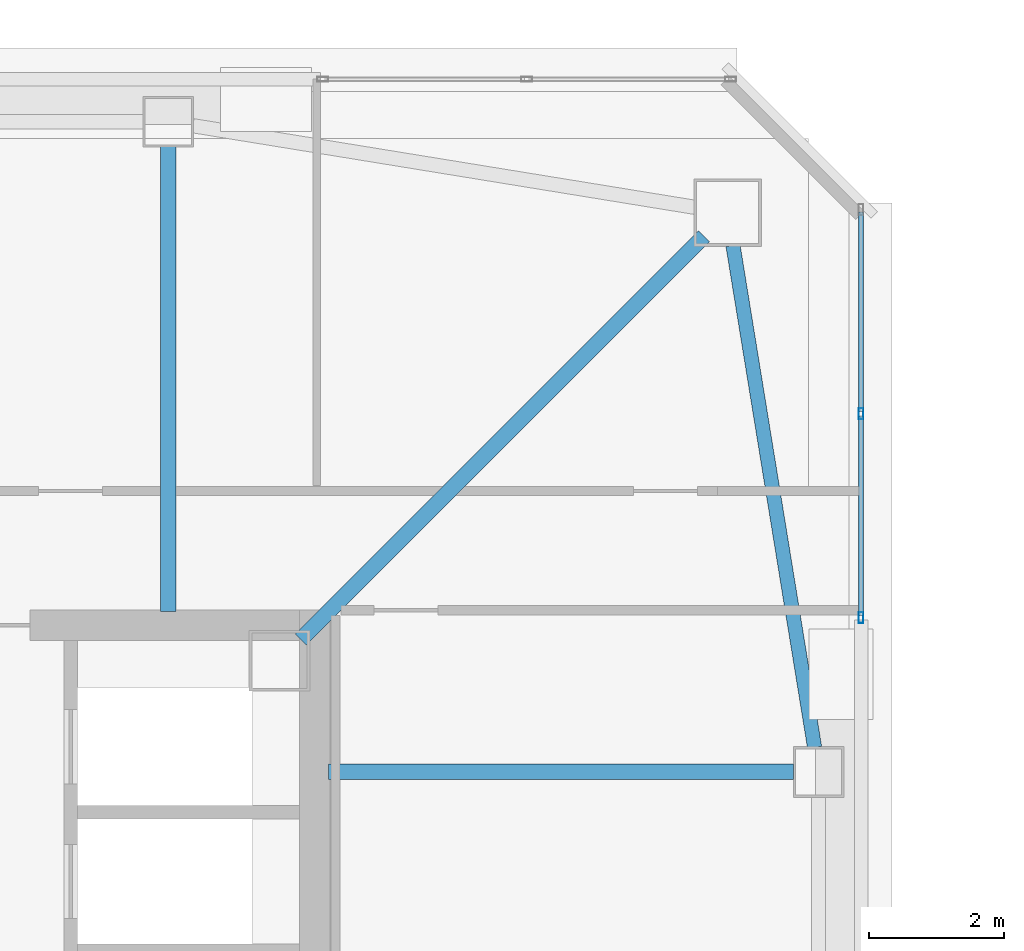
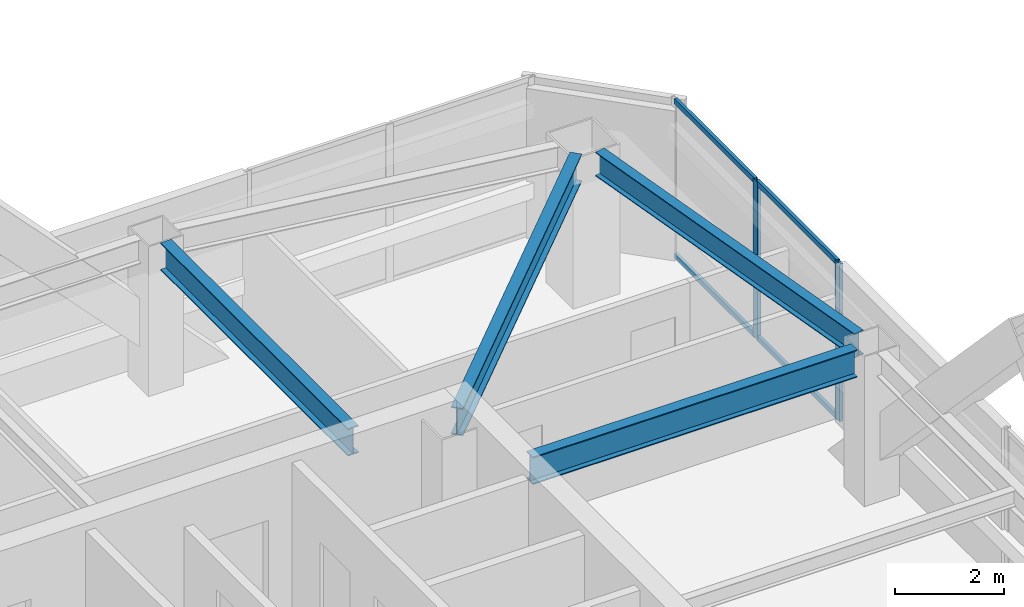
# One storey, part 13 of 39: 6 members, 4 beams, 1 element without a shape of its own.
"""IFC4 building model written with IfcOpenShell, lengths in metres."""

from ifc_helpers import new_model, si_unit, direction, frame, origin, origin_2d, place, context, subcontext, project, spatial, hollow_rectangle, i_section, extrude, material, material_profile, profile_set, type_object, element, aggregate, save


model = new_model("IFC4")

# Units and contexts
model_context = context("Model", 3, precision=1e-05, world=origin(), true_north=direction((0.0, 1.0)))
body_context = subcontext(model_context, "Body", "Model", "MODEL_VIEW")
ifc_project = project(units=[si_unit("LENGTHUNIT", "METRE"), si_unit("AREAUNIT", "SQUARE_METRE"), si_unit("VOLUMEUNIT", "CUBIC_METRE"), si_unit("PLANEANGLEUNIT", "RADIAN"), si_unit("MASSUNIT", "GRAM", prefix="KILO")], contexts=[model_context])

# Site, building, storey
site_placement = place(None, origin())
site = spatial("IfcSite", under=ifc_project, at=site_placement, CompositionType="ELEMENT")
building_placement = place(site_placement, origin())
building = spatial("IfcBuilding", under=site, at=building_placement, Name="Tashvorn Skyway Center", CompositionType="ELEMENT")
storey_placement = place(building_placement, frame((0.0, 0.0, 239.699951171875)))
storey = spatial("IfcBuildingStorey", under=building, at=storey_placement, Name="L65", CompositionType="ELEMENT", Elevation=239.699951171875)

# Beams
ifc_material_1 = material(Name="Steel ASTM A992 Grade 50", Category="steel")
ifc_material_profile_1 = material_profile(ifc_material_1, i_section(OverallWidth=0.22998046875, OverallDepth=0.616943359375, WebThickness=0.01318359375, FlangeThickness=0.022216796875, at=origin_2d()), Name="W24X94")
ifc_profile_set_1 = profile_set([ifc_material_profile_1], Name="Steel ASTM A992 Grade 50")
beam_type_1 = type_object("IfcBeamType", Name="BM-BEAM-W24X94", PredefinedType="BEAM", material=ifc_profile_set_1)
beam_1_placement = place(storey_placement, frame((55.35009765625, 45.35009765625, 3.0615234375), z_axis=(-0.707106781187, -0.707106781187, 0.0), x_axis=(0.707106781187, -0.707106781187, 0.0)))
element("IfcBeam", 1, at=beam_1_placement, inside=storey, type_object=beam_type_1, Name="Tower 1 L65 Primary Floor Girder MC-NE", PredefinedType="BEAM", context=body_context, shape_type="SweptSolid", body=[
    extrude(i_section(OverallWidth=0.22998046875, OverallDepth=0.616943359375, WebThickness=0.01318359375, FlangeThickness=0.022216796875, at=origin_2d()), origin(), (0.0, 0.0, 1.0), 8.464599609375),
])
for number, where, z_axis, x_axis, name in (
    (2, (56.679931640625, 37.39990234375, 3.0615234375), (-1.0, 0.0, 0.0), (0.0, -1.0, 0.0), "Tower 1 L65 Primary Floor Girder FC-E2"),
    (3, (47.39990234375, 46.679931640625, 3.0615234375), (0.0, -1.0, 0.0), (1.0, 0.0, 0.0), "Tower 1 L65 Primary Floor Girder FC-N1"),
):
    element("IfcBeam", number, at=place(storey_placement, frame(where, z_axis=z_axis, x_axis=x_axis)), inside=storey, type_object=beam_type_1, Name=name, PredefinedType="BEAM", context=body_context, shape_type="SweptSolid", body=[
        extrude(i_section(OverallWidth=0.22998046875, OverallDepth=0.616943359375, WebThickness=0.01318359375, FlangeThickness=0.022216796875, at=origin_2d()), origin(), (0.0, 0.0, 1.0), 6.89990234375),
    ])
ifc_material_profile_2 = material_profile(ifc_material_1, i_section(OverallWidth=0.2109375, OverallDepth=0.5390625, WebThickness=0.01171875, FlangeThickness=0.018798828125, at=origin_2d()), Name="W21X73")
ifc_profile_set_2 = profile_set([ifc_material_profile_2], Name="Steel ASTM A992 Grade 50")
beam_type_2 = type_object("IfcBeamType", Name="BM-SPANDREL-W21X73", PredefinedType="SPANDREL", material=ifc_profile_set_2)
beam_2_placement = place(storey_placement, frame((56.990478515625, 37.76513671875, 3.1005859375), z_axis=(-0.160514302677, 0.987033514444, 0.0), x_axis=(-0.987033514444, -0.160514302677, 0.0)))
element("IfcBeam", 4, at=beam_2_placement, inside=storey, type_object=beam_type_2, Name="Tower 1 L65 Spandrel Beam 06", PredefinedType="SPANDREL", context=body_context, shape_type="SweptSolid", body=[
    extrude(i_section(OverallWidth=0.2109375, OverallDepth=0.5390625, WebThickness=0.01171875, FlangeThickness=0.018798828125, at=origin_2d()), origin(), (0.0, 0.0, 1.0), 7.544189453125),
])

# Curtain wall, members
ifc_material_2 = material(Name="Thermally broken bronze-anodized aluminium 6063-T6", Category="aluminium")
curtain_wall_type = type_object("IfcCurtainWallType", Name="CW-CW-Z5", PredefinedType="NOTDEFINED", material=ifc_material_2)
curtain_wall_placement = place(storey_placement, origin())
curtain_wall = element("IfcCurtainWall", 5, at=curtain_wall_placement, inside=storey, type_object=curtain_wall_type, Name="Tower 1 L65 East Unitised Curtain Wall Glazing Group 1", PredefinedType="NOTDEFINED")
ifc_material_profile_3 = material_profile(ifc_material_2, hollow_rectangle(XDim=0.070068359375, YDim=0.1650390625, WallThickness=0.00390625, at=origin_2d()), Name="ALU-MULL-70x165")
ifc_profile_set_3 = profile_set([ifc_material_profile_3], Name="Thermally broken bronze-anodized aluminium 6063-T6")
member_type_1 = type_object("IfcMemberType", Name="CWM-CW-Z5", PredefinedType="MULLION", material=ifc_profile_set_3)
member_1_placement = place(storey_placement, frame((57.679931640625, 42.7177734375, 0.0), z_axis=(0.0, 0.0, 1.0), x_axis=(1.0, 0.0, 0.0)))
member_1 = element("IfcMember", 6, at=member_1_placement, type_object=member_type_1, Name="CW-Z5 mullion 2", PredefinedType="MULLION", context=body_context, shape_type="SweptSolid", body=[
    extrude(hollow_rectangle(XDim=0.070068359375, YDim=0.1650390625, WallThickness=0.00390625, at=origin_2d()), origin(), (0.0, 0.0, 1.0), 3.550048828125),
])
member_2_placement = place(storey_placement, frame((57.679931640625, 39.690673828125, 0.0), z_axis=(0.0, 0.0, 1.0), x_axis=(1.0, 0.0, 0.0)))
member_2 = element("IfcMember", 7, at=member_2_placement, type_object=member_type_1, Name="CW-Z5 mullion 3", PredefinedType="MULLION", context=body_context, shape_type="SweptSolid", body=[
    extrude(hollow_rectangle(XDim=0.070068359375, YDim=0.1650390625, WallThickness=0.00390625, at=origin_2d()), origin(), (0.0, 0.0, 1.0), 3.550048828125),
])
ifc_material_profile_4 = material_profile(ifc_material_2, hollow_rectangle(XDim=0.070068359375, YDim=0.114990234375, WallThickness=0.00390625, at=origin_2d()), Name="ALU-TRAN-70x115")
ifc_profile_set_4 = profile_set([ifc_material_profile_4], Name="Thermally broken bronze-anodized aluminium 6063-T6")
member_type_2 = type_object("IfcMemberType", Name="CWT-CW-Z5", PredefinedType="USERDEFINED", material=ifc_profile_set_4)
member_3_placement = place(storey_placement, frame((57.679931640625, 45.7099609375, 0.03515625), z_axis=(0.0, -1.0, 0.0), x_axis=(1.0, 0.0, 0.0)))
member_3 = element("IfcMember", 8, at=member_3_placement, type_object=member_type_2, Name="CW-Z5 transom 1.1", ObjectType="TRANSOM", PredefinedType="USERDEFINED", context=body_context, shape_type="SweptSolid", body=[
    extrude(hollow_rectangle(XDim=0.070068359375, YDim=0.114990234375, WallThickness=0.00390625, at=origin_2d()), origin(), (0.0, 0.0, 1.0), 2.957275390625),
])
member_4_placement = place(storey_placement, frame((57.679931640625, 45.7099609375, 3.51513671875), z_axis=(0.0, -1.0, 0.0), x_axis=(1.0, 0.0, 0.0)))
member_4 = element("IfcMember", 9, at=member_4_placement, type_object=member_type_2, Name="CW-Z5 transom 1.2", ObjectType="TRANSOM", PredefinedType="USERDEFINED", context=body_context, shape_type="SweptSolid", body=[
    extrude(hollow_rectangle(XDim=0.070068359375, YDim=0.114990234375, WallThickness=0.00390625, at=origin_2d()), origin(), (0.0, 0.0, 1.0), 2.957275390625),
])
member_5_placement = place(storey_placement, frame((57.679931640625, 42.682861328125, 0.03515625), z_axis=(0.0, -1.0, 0.0), x_axis=(1.0, 0.0, 0.0)))
member_5 = element("IfcMember", 10, at=member_5_placement, type_object=member_type_2, Name="CW-Z5 transom 2.1", ObjectType="TRANSOM", PredefinedType="USERDEFINED", context=body_context, shape_type="SweptSolid", body=[
    extrude(hollow_rectangle(XDim=0.070068359375, YDim=0.114990234375, WallThickness=0.00390625, at=origin_2d()), origin(), (0.0, 0.0, 1.0), 2.957275390625),
])
member_6_placement = place(storey_placement, frame((57.679931640625, 42.682861328125, 3.51513671875), z_axis=(0.0, -1.0, 0.0), x_axis=(1.0, 0.0, 0.0)))
member_6 = element("IfcMember", 11, at=member_6_placement, type_object=member_type_2, Name="CW-Z5 transom 2.2", ObjectType="TRANSOM", PredefinedType="USERDEFINED", context=body_context, shape_type="SweptSolid", body=[
    extrude(hollow_rectangle(XDim=0.070068359375, YDim=0.114990234375, WallThickness=0.00390625, at=origin_2d()), origin(), (0.0, 0.0, 1.0), 2.957275390625),
])
aggregate(curtain_wall, [member_1, member_2, member_3, member_4, member_5, member_6])

save(model, "model.ifc")
